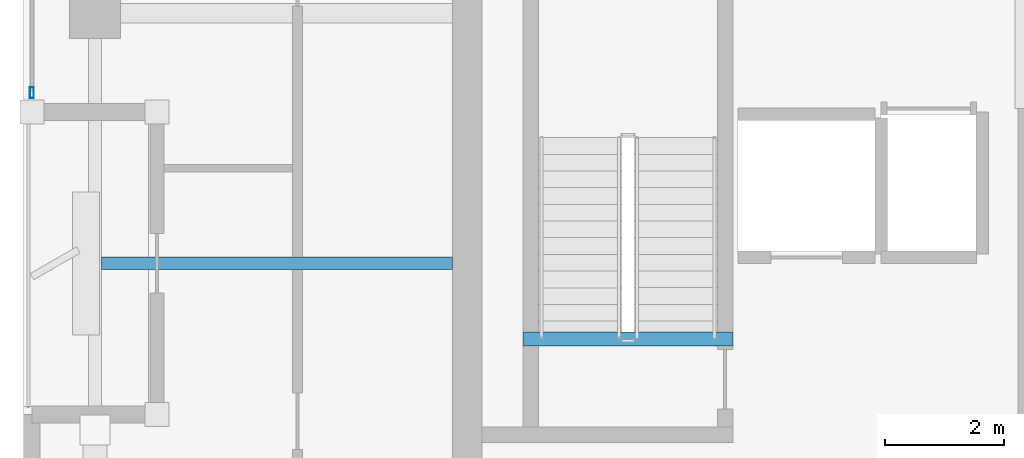
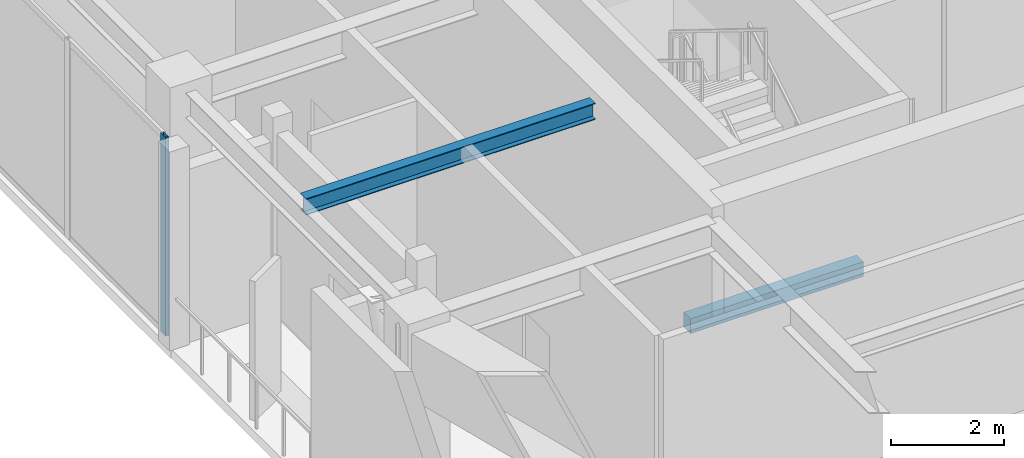
# One storey, part 2 of 15: 2 beams, 1 member, 1 element without a shape of its own.
"""IFC4 building model written with IfcOpenShell, lengths in metres."""

import ifcopenshell
import ifcopenshell.guid

model = None  # the IFC model being written
_history = None  # IfcOwnerHistory: only IFC2X3 demands one
_inside = {}  # id of a spatial element -> (the spatial element, [elements in it])
_under = {}  # id of a project, library or spatial element -> (it, [spatial elements below it])
_declared = {}  # id of a project -> (the project, [libraries it declares])
_typed = {}  # id of a type object -> (the type object, [elements of that type])
_made_of = {}  # id of a material, layer set ... -> (it, [elements and type objects made of it])


def new_model(schema):
    """Start an empty IFC model of exactly this schema.

    Asked for "IFC4X3", IfcOpenShell would pick the latest addendum, in which some entities
    have other attributes; the version numbers below select the first issue.
    IFC2X3 requires an IfcOwnerHistory on every rooted entity: one is made here for all.
    """
    global model, _history
    if schema == "IFC4X3":
        model = ifcopenshell.file(schema_version=(4, 3, 0, 0))
    else:
        model = ifcopenshell.file(schema=schema)
    _inside.clear()
    _under.clear()
    _declared.clear()
    _typed.clear()
    _made_of.clear()
    _history = None
    if model.schema == "IFC2X3":
        org = make("IfcOrganization", Name="unknown")
        user = make(
            "IfcPersonAndOrganization",
            ThePerson=make("IfcPerson", FamilyName="unknown"),
            TheOrganization=org,
        )
        app = make(
            "IfcApplication",
            ApplicationDeveloper=org,
            Version="unknown",
            ApplicationFullName="unknown",
            ApplicationIdentifier="unknown",
        )
        _history = make(
            "IfcOwnerHistory",
            OwningUser=user,
            OwningApplication=app,
            ChangeAction="ADDED",
            CreationDate=0,
        )
    return model


def make(cls, **values):
    """One entity of the class cls with the attributes given. An attribute that is None is left unset."""
    return model.create_entity(
        cls, **{name: value for name, value in values.items() if value is not None}
    )


def rooted(cls, **values):
    """An entity with a GlobalId (a new one), such as an element, a storey or a relation."""
    return make(cls, GlobalId=ifcopenshell.guid.new(), OwnerHistory=_history, **values)


def si_unit(unit_type, name, prefix=None):
    """IfcSIUnit, for example si_unit("LENGTHUNIT", "METRE", prefix="MILLI")."""
    return make("IfcSIUnit", UnitType=unit_type, Prefix=prefix, Name=name)


def assignment(units):
    """IfcUnitAssignment: the units of a project."""
    return None if units is None else make("IfcUnitAssignment", Units=units)


def point(xyz):
    """IfcCartesianPoint."""
    return None if xyz is None else make("IfcCartesianPoint", Coordinates=xyz)


def direction(xyz):
    """IfcDirection."""
    return None if xyz is None else make("IfcDirection", DirectionRatios=xyz)


def frame(location, z_axis=None, x_axis=None):
    """IfcAxis2Placement3D, a coordinate frame: its origin and axes. An axis left out is left unset."""
    return make(
        "IfcAxis2Placement3D",
        Location=point(location),
        Axis=direction(z_axis),
        RefDirection=direction(x_axis),
    )


def frame_2d(location, x_axis=None):
    """IfcAxis2Placement2D, a coordinate frame in the plane: its origin and x axis."""
    return make(
        "IfcAxis2Placement2D", Location=point(location), RefDirection=direction(x_axis)
    )


def origin():
    """The frame at (0, 0, 0) with its axes left unset."""
    return frame((0.0, 0.0, 0.0))


def origin_2d():
    """The frame at (0, 0) in the plane with its x axis left unset."""
    return frame_2d((0.0, 0.0))


def place(relative_to, where):
    """IfcLocalPlacement: puts the frame where relative to a parent placement (None: the world)."""
    return make(
        "IfcLocalPlacement", PlacementRelTo=relative_to, RelativePlacement=where
    )


def context(
    kind, dimensions, precision=None, world=None, true_north=None, identifier=None
):
    """IfcGeometricRepresentationContext, for example the 3D "Model" context."""
    return make(
        "IfcGeometricRepresentationContext",
        ContextIdentifier=identifier,
        ContextType=kind,
        CoordinateSpaceDimension=dimensions,
        Precision=precision,
        WorldCoordinateSystem=world,
        TrueNorth=true_north,
    )


def subcontext(parent, identifier, kind, view, scale=None):
    """IfcGeometricRepresentationSubContext, for example "Body" below "Model"."""
    return make(
        "IfcGeometricRepresentationSubContext",
        ContextIdentifier=identifier,
        ContextType=kind,
        ParentContext=parent,
        TargetScale=scale,
        TargetView=view,
    )


def project(units=None, contexts=None):
    """IfcProject with its units and contexts."""
    return rooted(
        "IfcProject",
        Name="project",
        RepresentationContexts=contexts,
        UnitsInContext=assignment(units),
    )


def spatial(cls, under=None, at=None, **own):
    """A site, building, storey or space (cls), placed at a placement, below another one or the project."""
    s = rooted(cls, ObjectPlacement=at, **own)
    if under is not None:
        _under.setdefault(under.id(), (under, []))[1].append(s)
    return s


def profile(cls, at=None, kind="AREA", **sizes):
    """A parametric profile (cls). Its sizes go by their IFC names, for example OverallWidth=200.0."""
    return make(cls, ProfileType=kind, Position=at, **sizes)


def rectangle(**sizes):
    """IfcRectangleProfileDef."""
    return profile("IfcRectangleProfileDef", **sizes)


def hollow_rectangle(**sizes):
    """IfcRectangleHollowProfileDef."""
    return profile("IfcRectangleHollowProfileDef", **sizes)


def i_section(**sizes):
    """IfcIShapeProfileDef."""
    return profile("IfcIShapeProfileDef", **sizes)


def extrude(swept, where, along, depth):
    """IfcExtrudedAreaSolid: the profile swept, set in the frame where, extruded along a direction by depth."""
    return make(
        "IfcExtrudedAreaSolid",
        SweptArea=swept,
        Position=where,
        ExtrudedDirection=direction(along),
        Depth=depth,
    )


def shape(context_of_items, identifier, shape_type, items):
    """IfcShapeRepresentation: the items that make up one representation, for example the "Body"."""
    return make(
        "IfcShapeRepresentation",
        ContextOfItems=context_of_items,
        RepresentationIdentifier=identifier,
        RepresentationType=shape_type,
        Items=items,
    )


def material(Name=None, Category=None):
    """IfcMaterial."""
    return make("IfcMaterial", Name=Name, Category=Category)


def layer(
    of_material, thickness, ventilated=None, Name=None, Category=None, Priority=None
):
    """IfcMaterialLayer: one layer of a wall or slab, of a material (None: an air gap)."""
    return make(
        "IfcMaterialLayer",
        Material=of_material,
        LayerThickness=thickness,
        IsVentilated=ventilated,
        Name=Name,
        Category=Category,
        Priority=Priority,
    )


def layer_set(layers, Name=None):
    """IfcMaterialLayerSet."""
    return make("IfcMaterialLayerSet", MaterialLayers=layers, LayerSetName=Name)


def material_profile(
    of_material, cross_section, Name=None, Category=None, Priority=None
):
    """IfcMaterialProfile: a cross section and its material."""
    return make(
        "IfcMaterialProfile",
        Name=Name,
        Material=of_material,
        Profile=cross_section,
        Priority=Priority,
        Category=Category,
    )


def profile_set(profiles, Name=None, composite=None):
    """IfcMaterialProfileSet."""
    return make(
        "IfcMaterialProfileSet",
        Name=Name,
        MaterialProfiles=profiles,
        CompositeProfile=composite,
    )


def made_of(thing, what):
    """Note that an element or type object is made of a material, layer set ...; save() writes the relation."""
    if what is not None:
        _made_of.setdefault(what.id(), (what, []))[1].append(thing)
    return thing


def type_object(cls, material=None, **own):
    """A type object (cls), such as IfcWallType, which elements share."""
    return made_of(rooted(cls, **own), material)


def element(
    cls,
    number,
    at=None,
    inside=None,
    cuts=None,
    type_object=None,
    material=None,
    context=None,
    identifier="Body",
    shape_type=None,
    held_by="IfcProductDefinitionShape",
    body=None,
    shapes=None,
    **own,
):
    """One element of the class cls, such as IfcWall. Its Tag is "e" and its number.

    at: its placement. inside: the storey or other place that contains it. cuts: it is an
    opening in that element (IfcRelVoidsElement). A single representation is given by context,
    identifier, shape_type and body (its items); several are given by shapes. held_by: the class
    of the entity that holds the representations. save() writes the other relations.
    """
    e = rooted(cls, Tag="e%d" % number, ObjectPlacement=at, **own)
    if body is not None:
        shapes = [shape(context, identifier, shape_type, body)]
    if shapes is not None:
        e.Representation = make(held_by, Representations=shapes)
    if inside is not None:
        _inside.setdefault(inside.id(), (inside, []))[1].append(e)
    if cuts is not None:
        rooted(
            "IfcRelVoidsElement", RelatingBuildingElement=cuts, RelatedOpeningElement=e
        )
    if type_object is not None:
        _typed.setdefault(type_object.id(), (type_object, []))[1].append(e)
    return made_of(e, material)


def aggregate(whole, parts):
    """IfcRelAggregates: a whole, such as a stair, and the parts it consists of."""
    return rooted("IfcRelAggregates", RelatingObject=whole, RelatedObjects=parts)


def save(model, path):
    """Write the relations noted so far, then the file.

    IfcRelAggregates (storeys below a building ...), IfcRelContainedInSpatialStructure (elements
    in a storey), IfcRelDefinesByType, IfcRelAssociatesMaterial and IfcRelDeclares: one each for
    every whole, place, type object, material and project.
    """
    for whole, parts in _under.values():
        aggregate(whole, parts)
    for where, things in _inside.values():
        rooted(
            "IfcRelContainedInSpatialStructure",
            RelatedElements=things,
            RelatingStructure=where,
        )
    for kind, things in _typed.values():
        rooted("IfcRelDefinesByType", RelatedObjects=things, RelatingType=kind)
    for what, things in _made_of.values():
        rooted("IfcRelAssociatesMaterial", RelatedObjects=things, RelatingMaterial=what)
    for by, libraries in _declared.values():
        rooted("IfcRelDeclares", RelatingContext=by, RelatedDefinitions=libraries)
    model.write(path)


model = new_model("IFC4")

# Units and contexts
model_context = context("Model", 3, precision=1e-05, world=origin(), true_north=direction((0.0, 1.0)))
body_context = subcontext(model_context, "Body", "Model", "MODEL_VIEW")
ifc_project = project(units=[si_unit("LENGTHUNIT", "METRE"), si_unit("AREAUNIT", "SQUARE_METRE"), si_unit("VOLUMEUNIT", "CUBIC_METRE"), si_unit("PLANEANGLEUNIT", "RADIAN"), si_unit("MASSUNIT", "GRAM", prefix="KILO")], contexts=[model_context])

# Site, building, storey
site_placement = place(None, origin())
site = spatial("IfcSite", under=ifc_project, at=site_placement, CompositionType="ELEMENT")
building_placement = place(site_placement, origin())
building = spatial("IfcBuilding", under=site, at=building_placement, Name="Kiyonajd Concourse Tower", CompositionType="ELEMENT")
storey_placement = place(building_placement, frame((0.0, 0.0, 342.0)))
storey = spatial("IfcBuildingStorey", under=building, at=storey_placement, Name="L86", CompositionType="ELEMENT", Elevation=342.0)

# Beams
ifc_material_1 = material(Name="Steel ASTM A992 Grade 50", Category="steel")
ifc_material_profile_1 = material_profile(ifc_material_1, i_section(OverallWidth=0.205078125, OverallDepth=0.35400390625, WebThickness=0.009521484375, FlangeThickness=0.016845703125, at=origin_2d()), Name="W360X79")
ifc_profile_set_1 = profile_set([ifc_material_profile_1], Name="Steel ASTM A992 Grade 50")
beam_type_1 = type_object("IfcBeamType", Name="BM-JST-360", PredefinedType="JOIST", material=ifc_profile_set_1)
beam_1_placement = place(storey_placement, frame((26.505615234375, 31.800048828125, 4.10302734375), z_axis=(1.0, 0.0, 0.0), x_axis=(0.0, 1.0, 0.0)))
element("IfcBeam", 1, at=beam_1_placement, inside=storey, type_object=beam_type_1, Name="L86 West Secondary Floor Joist", PredefinedType="JOIST", context=body_context, shape_type="SweptSolid", body=[
    extrude(i_section(OverallWidth=0.205078125, OverallDepth=0.35400390625, WebThickness=0.009521484375, FlangeThickness=0.016845703125, at=origin_2d()), origin(), (0.0, 0.0, 1.0), 5.894287109375),
])
ifc_material_2 = material(Name="Concrete C50/60", Category="concrete")
ifc_material_profile_2 = material_profile(ifc_material_2, rectangle(XDim=0.239990234375, YDim=0.320068359375, at=origin_2d()), Name="RCBM-240x320")
ifc_profile_set_2 = profile_set([ifc_material_profile_2], Name="Concrete C50/60")
beam_type_2 = type_object("IfcBeamType", Name="BM-LNT-250", PredefinedType="LINTEL", material=ifc_profile_set_2)
beam_2_placement = place(storey_placement, frame((33.590087890625, 30.530029296875, -0.159912109375), z_axis=(1.0, 0.0, 0.0), x_axis=(0.0, 1.0, 0.0)))
element("IfcBeam", 2, at=beam_2_placement, inside=storey, type_object=beam_type_2, Name="L86 Stair ST1 Threshold Support Beam", PredefinedType="LINTEL", context=body_context, shape_type="SweptSolid", body=[
    extrude(rectangle(XDim=0.239990234375, YDim=0.320068359375, at=origin_2d()), origin(), (0.0, 0.0, 1.0), 3.52001953125),
])

# Curtain wall, member
ifc_material_3 = material(Name="Thermally Broken Anodised Aluminium", Category="aluminium")
ifc_layer = layer(ifc_material_3, 0.179931640625)
ifc_layer_set = layer_set([ifc_layer], Name="Thermally Broken Anodised Aluminium")
curtain_wall_type = type_object("IfcCurtainWallType", Name="CW-SYS-04", PredefinedType="NOTDEFINED", material=ifc_layer_set)
curtain_wall_placement = place(storey_placement, origin())
curtain_wall = element("IfcCurtainWall", 3, at=curtain_wall_placement, inside=storey, type_object=curtain_wall_type, Name="L86 Unitised Curtain Wall CW4", PredefinedType="NOTDEFINED")
ifc_material_profile_3 = material_profile(ifc_material_3, hollow_rectangle(XDim=0.06494140625, YDim=0.179931640625, WallThickness=0.00390625, at=origin_2d()), Name="MULL-65x180")
ifc_profile_set_3 = profile_set([ifc_material_profile_3], Name="Thermally Broken Anodised Aluminium")
member_type = type_object("IfcMemberType", Name="MB-CW-MULL1", PredefinedType="MULLION", material=ifc_profile_set_3)
member_placement = place(storey_placement, frame((25.340087890625, 34.66259765625, 0.0), z_axis=(0.0, 0.0, 1.0), x_axis=(-1.0, 0.0, 0.0)))
member = element("IfcMember", 4, at=member_placement, type_object=member_type, Name="CW4 mullion 1", PredefinedType="MULLION", context=body_context, shape_type="SweptSolid", body=[
    extrude(hollow_rectangle(XDim=0.06494140625, YDim=0.179931640625, WallThickness=0.00390625, at=origin_2d()), origin(), (0.0, 0.0, 1.0), 4.280029296875),
])
aggregate(curtain_wall, [member])

save(model, "model.ifc")
